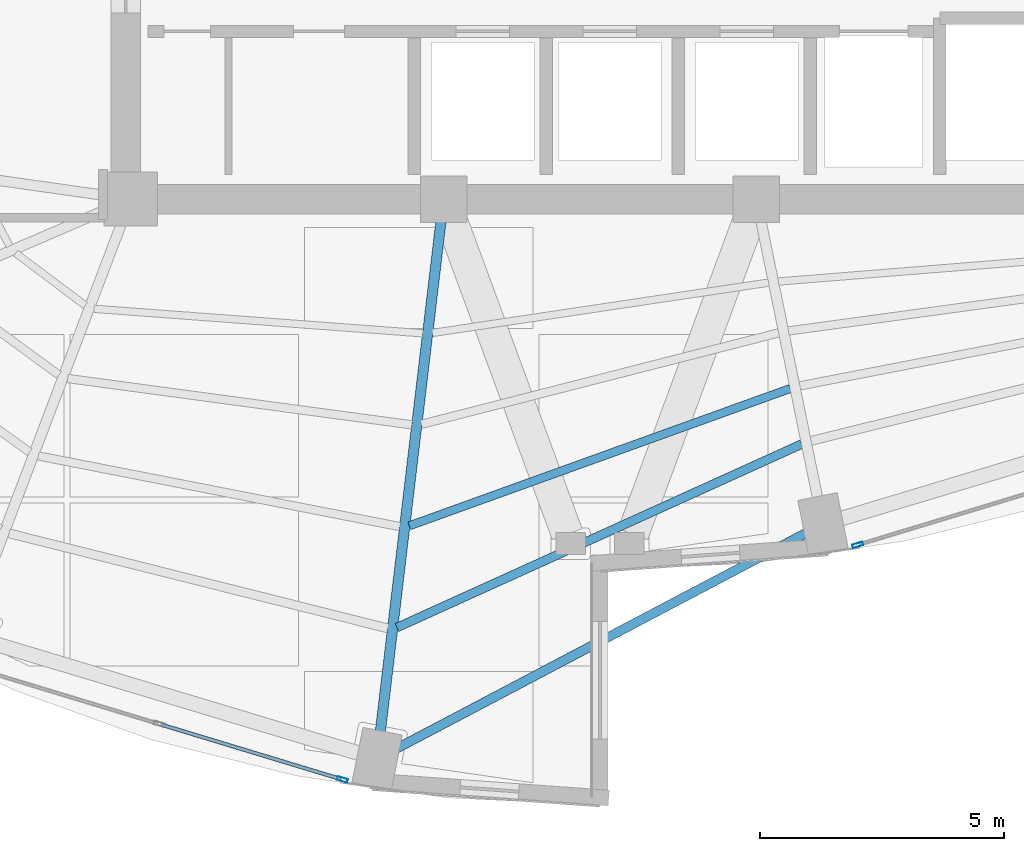
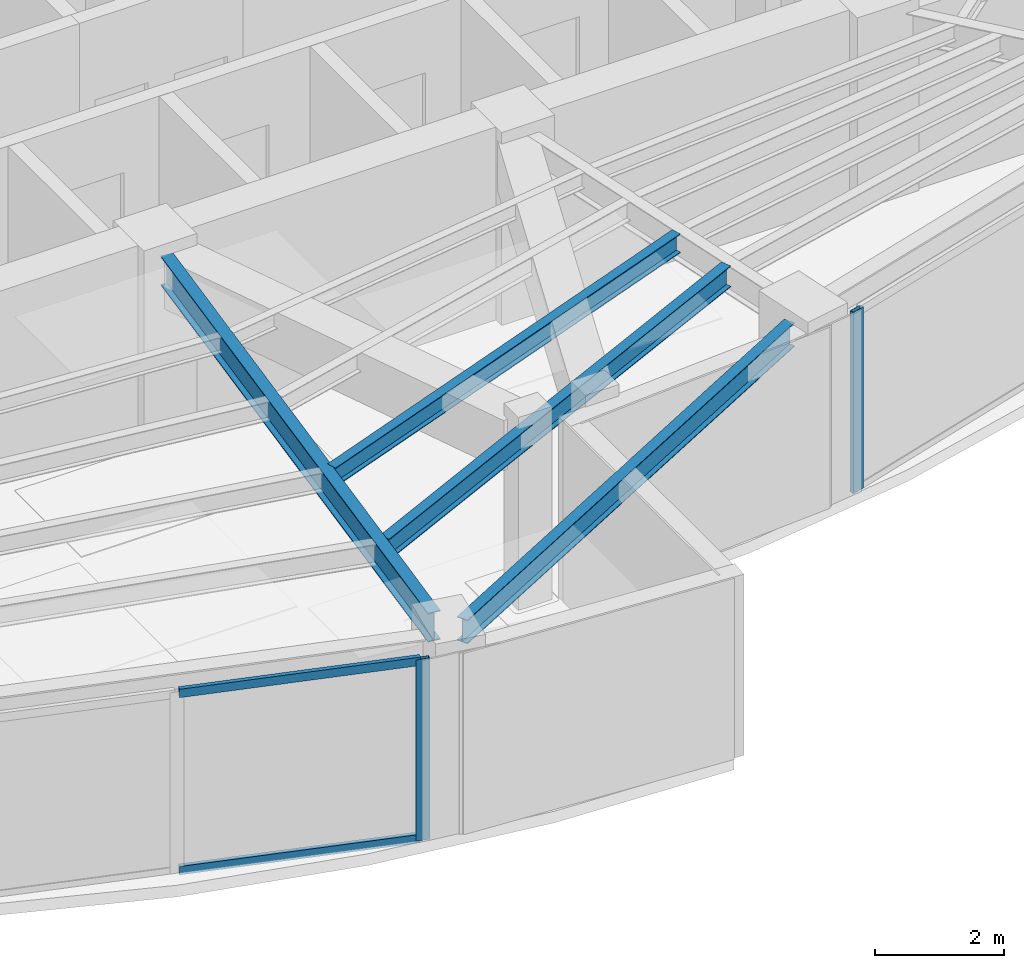
# One storey, part 4 of 20: 4 beams, 4 members, 2 elements without a shape of their own.
"""IFC4 building model written with IfcOpenShell, lengths in metres."""

from ifc_helpers import new_model, si_unit, direction, frame, origin, origin_2d, place, context, subcontext, project, spatial, hollow_rectangle, i_section, extrude, material, layer, layer_set, material_profile, profile_set, type_object, element, aggregate, save


model = new_model("IFC4")

# Units and contexts
model_context = context("Model", 3, precision=1e-05, world=origin(), true_north=direction((0.0, 1.0)))
body_context = subcontext(model_context, "Body", "Model", "MODEL_VIEW")
ifc_project = project(units=[si_unit("LENGTHUNIT", "METRE"), si_unit("AREAUNIT", "SQUARE_METRE"), si_unit("VOLUMEUNIT", "CUBIC_METRE"), si_unit("PLANEANGLEUNIT", "RADIAN"), si_unit("MASSUNIT", "GRAM", prefix="KILO")], contexts=[model_context])

# Site, building, storey
site_placement = place(None, origin())
site = spatial("IfcSite", under=ifc_project, at=site_placement, CompositionType="ELEMENT")
building_placement = place(site_placement, origin())
building = spatial("IfcBuilding", under=site, at=building_placement, Name="Lazwardi Medical Tower", CompositionType="ELEMENT")
storey_placement = place(building_placement, frame((0.0, 0.0, 141.93603515625)))
storey = spatial("IfcBuildingStorey", under=building, at=storey_placement, Name="L36", CompositionType="ELEMENT", Elevation=141.93603515625)

# Beams
ifc_material_1 = material(Name="Steel S355", Category="steel")
ifc_material_profile_1 = material_profile(ifc_material_1, i_section(OverallWidth=0.2099609375, OverallDepth=0.550048828125, WebThickness=0.010986328125, FlangeThickness=0.01708984375, at=origin_2d()), Name="IPE 550")
ifc_profile_set_1 = profile_set([ifc_material_profile_1], Name="Steel S355")
beam_type_1 = type_object("IfcBeamType", Name="BM-RG-W2", PredefinedType="BEAM", material=ifc_profile_set_1)
beam_1_placement = place(storey_placement, frame((31.505859375, 9.50732421875, 3.153076171875), z_axis=(0.117968004211, 0.993017396616, 0.0), x_axis=(-0.993017396616, 0.117968004211, 0.0)))
element("IfcBeam", 1, at=beam_1_placement, inside=storey, type_object=beam_type_1, Name="Radial girder RG-03 R16 L36", PredefinedType="BEAM", context=body_context, shape_type="SweptSolid", body=[
    extrude(i_section(OverallWidth=0.2099609375, OverallDepth=0.550048828125, WebThickness=0.010986328125, FlangeThickness=0.01708984375, at=origin_2d()), origin(), (0.0, 0.0, 1.0), 10.50927734375),
])
ifc_material_profile_2 = material_profile(ifc_material_1, i_section(OverallWidth=0.179931640625, OverallDepth=0.39990234375, WebThickness=0.008544921875, FlangeThickness=0.013427734375, at=origin_2d()), Name="IPE 400")
ifc_profile_set_2 = profile_set([ifc_material_profile_2], Name="Steel S355")
beam_type_2 = type_object("IfcBeamType", Name="BM-SJ-01", PredefinedType="JOIST", material=ifc_profile_set_2)
beam_2_placement = place(storey_placement, frame((31.844970703125, 11.6357421875, 3.22802734375), z_axis=(0.910834000674, 0.412772846995, 0.0), x_axis=(-0.412772846995, 0.910834000674, 0.0)))
element("IfcBeam", 2, at=beam_2_placement, inside=storey, type_object=beam_type_2, Name="Secondary joist SJ-01 R1 B16 L36", PredefinedType="JOIST", context=body_context, shape_type="SweptSolid", body=[
    extrude(i_section(OverallWidth=0.179931640625, OverallDepth=0.39990234375, WebThickness=0.008544921875, FlangeThickness=0.013427734375, at=origin_2d()), origin(), (0.0, 0.0, 1.0), 9.09130859375),
])
ifc_material_profile_3 = material_profile(ifc_material_1, i_section(OverallWidth=0.169921875, OverallDepth=0.360107421875, WebThickness=0.008056640625, FlangeThickness=0.0126953125, at=origin_2d()), Name="IPE 360")
ifc_profile_set_3 = profile_set([ifc_material_profile_3], Name="Steel S355")
beam_type_3 = type_object("IfcBeamType", Name="BM-SJ-02", PredefinedType="JOIST", material=ifc_profile_set_3)
beam_3_placement = place(storey_placement, frame((32.095947265625, 13.715576171875, 3.248046875), z_axis=(0.940747993319, 0.339106492221, 0.0), x_axis=(-0.339106492221, 0.940747993319, 0.0)))
element("IfcBeam", 3, at=beam_3_placement, inside=storey, type_object=beam_type_3, Name="Secondary joist SJ-02 R2 B16 L36", PredefinedType="JOIST", context=body_context, shape_type="SweptSolid", body=[
    extrude(i_section(OverallWidth=0.169921875, OverallDepth=0.360107421875, WebThickness=0.008056640625, FlangeThickness=0.0126953125, at=origin_2d()), origin(), (0.0, 0.0, 1.0), 8.28662109375),
])
ifc_material_profile_4 = material_profile(ifc_material_1, i_section(OverallWidth=0.18994140625, OverallDepth=0.449951171875, WebThickness=0.009521484375, FlangeThickness=0.0146484375, at=origin_2d()), Name="IPE 450")
ifc_profile_set_4 = profile_set([ifc_material_profile_4], Name="Steel S355")
beam_type_4 = type_object("IfcBeamType", Name="BM-SP-01", PredefinedType="SPANDREL", material=ifc_profile_set_4)
beam_4_placement = place(storey_placement, frame((31.793701171875, 9.137451171875, 3.202880859375), z_axis=(0.884926578414, 0.465730556026, 0.0), x_axis=(-0.465730556026, 0.884926578414, 0.0)))
element("IfcBeam", 4, at=beam_4_placement, inside=storey, type_object=beam_type_4, Name="Spandrel beam SP-01 B16 L36", PredefinedType="SPANDREL", context=body_context, shape_type="SweptSolid", body=[
    extrude(i_section(OverallWidth=0.18994140625, OverallDepth=0.449951171875, WebThickness=0.009521484375, FlangeThickness=0.0146484375, at=origin_2d()), origin(), (0.0, 0.0, 1.0), 9.506591796875),
])

# Curtain wall, member
ifc_material_2 = material(Name="Anodised bronze aluminium and solar control glazing", Category="aluminium")
ifc_layer = layer(ifc_material_2, 0.195068359375)
ifc_layer_set = layer_set([ifc_layer], Name="Anodised bronze aluminium and solar control glazing")
curtain_wall_type = type_object("IfcCurtainWallType", Name="CW-SYS-03", PredefinedType="NOTDEFINED", material=ifc_layer_set)
curtain_wall_1_placement = place(storey_placement, origin())
curtain_wall_1 = element("IfcCurtainWall", 5, at=curtain_wall_1_placement, inside=storey, type_object=curtain_wall_type, Name="L36 Unitised bronze curtain wall CW-03", PredefinedType="NOTDEFINED")
ifc_material_3 = material(Name="Anodised bronze aluminium", Category="aluminium")
ifc_material_profile_5 = material_profile(ifc_material_3, hollow_rectangle(XDim=0.074951171875, YDim=0.219970703125, WallThickness=0.00390625, at=origin_2d()), Name="ALU-MULLION 220x75x4")
ifc_profile_set_5 = profile_set([ifc_material_profile_5], Name="Anodised bronze aluminium")
member_type_1 = type_object("IfcMemberType", Name="CW-MUL-01", PredefinedType="MULLION", material=ifc_profile_set_5)
member_1_placement = place(storey_placement, frame((41.27197265625, 13.325927734375, 0.0), z_axis=(0.0, 0.0, 1.0), x_axis=(-0.290280785441, 0.956941516292, 0.0)))
member_1 = element("IfcMember", 6, at=member_1_placement, type_object=member_type_1, Name="CW-03 mullion 1", PredefinedType="MULLION", context=body_context, shape_type="SweptSolid", body=[
    extrude(hollow_rectangle(XDim=0.074951171875, YDim=0.219970703125, WallThickness=0.00390625, at=origin_2d()), origin(), (0.0, 0.0, 1.0), 3.427978515625),
])
aggregate(curtain_wall_1, [member_1])

# Curtain wall, members
curtain_wall_2_placement = place(storey_placement, origin())
curtain_wall_2 = element("IfcCurtainWall", 7, at=curtain_wall_2_placement, inside=storey, type_object=curtain_wall_type, Name="L36 Unitised bronze curtain wall CW-03", PredefinedType="NOTDEFINED")
member_2_placement = place(storey_placement, frame((30.72802734375, 8.52587890625, 0.0), z_axis=(0.0, 0.0, 1.0), x_axis=(0.290280785441, 0.956941516292, 0.0)))
member_2 = element("IfcMember", 8, at=member_2_placement, type_object=member_type_1, Name="CW-03 mullion 3", PredefinedType="MULLION", context=body_context, shape_type="SweptSolid", body=[
    extrude(hollow_rectangle(XDim=0.074951171875, YDim=0.219970703125, WallThickness=0.00390625, at=origin_2d()), origin(), (0.0, 0.0, 1.0), 3.427978515625),
])
ifc_material_profile_6 = material_profile(ifc_material_3, hollow_rectangle(XDim=0.074951171875, YDim=0.159912109375, WallThickness=0.00390625, at=origin_2d()), Name="ALU-TRANSOM 160x75x4")
ifc_profile_set_6 = profile_set([ifc_material_profile_6], Name="Anodised bronze aluminium")
member_type_2 = type_object("IfcMemberType", Name="CW-TRN-01", PredefinedType="USERDEFINED", material=ifc_profile_set_6)
member_3_placement = place(storey_placement, frame((27.020751953125, 9.650390625, 0.037353515625), z_axis=(0.95695319357, -0.290242287264, 0.0), x_axis=(0.290242287264, 0.95695319357, 0.0)))
member_3 = element("IfcMember", 9, at=member_3_placement, type_object=member_type_2, Name="CW-03 transom 2.1", ObjectType="TRANSOM", PredefinedType="USERDEFINED", context=body_context, shape_type="SweptSolid", body=[
    extrude(hollow_rectangle(XDim=0.074951171875, YDim=0.159912109375, WallThickness=0.00390625, at=origin_2d()), origin(), (0.0, 0.0, 1.0), 3.83642578125),
])
member_4_placement = place(storey_placement, frame((27.020751953125, 9.650390625, 3.390380859375), z_axis=(0.95695319357, -0.290242287264, 0.0), x_axis=(0.290242287264, 0.95695319357, 0.0)))
member_4 = element("IfcMember", 10, at=member_4_placement, type_object=member_type_2, Name="CW-03 transom 2.2", ObjectType="TRANSOM", PredefinedType="USERDEFINED", context=body_context, shape_type="SweptSolid", body=[
    extrude(hollow_rectangle(XDim=0.074951171875, YDim=0.159912109375, WallThickness=0.00390625, at=origin_2d()), origin(), (0.0, 0.0, 1.0), 3.83642578125),
])
aggregate(curtain_wall_2, [member_2, member_3, member_4])

save(model, "model.ifc")
